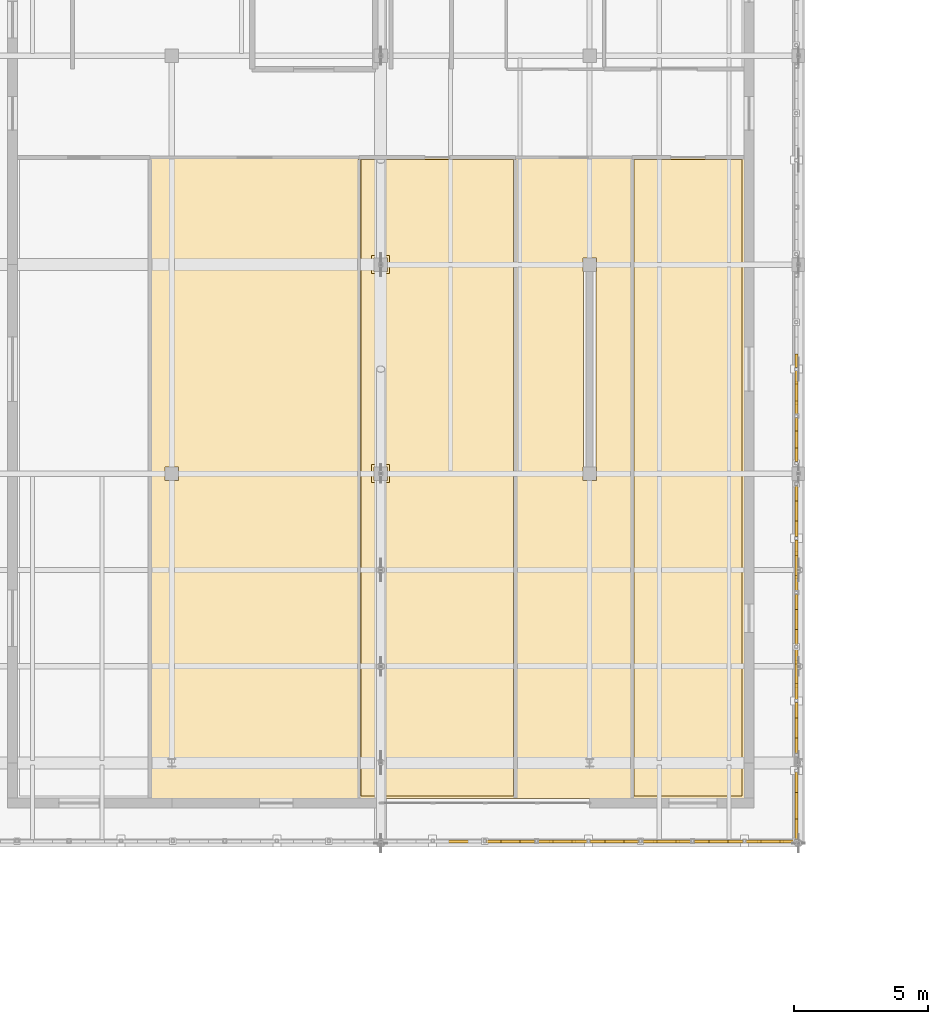
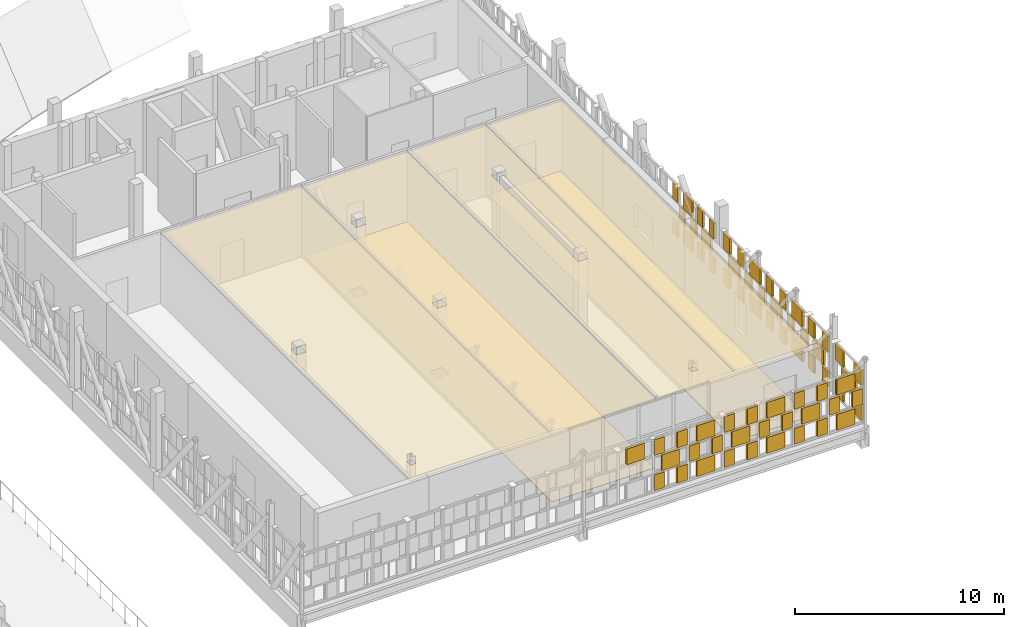
# One storey, part 79 of 89: 73 coverings.
"""IFC4 building model written with IfcOpenShell, lengths in metres."""

import ifcopenshell
import ifcopenshell.guid

model = None  # the IFC model being written
_history = None  # IfcOwnerHistory: only IFC2X3 demands one
_inside = {}  # id of a spatial element -> (the spatial element, [elements in it])
_under = {}  # id of a project, library or spatial element -> (it, [spatial elements below it])
_declared = {}  # id of a project -> (the project, [libraries it declares])
_typed = {}  # id of a type object -> (the type object, [elements of that type])
_made_of = {}  # id of a material, layer set ... -> (it, [elements and type objects made of it])


def new_model(schema):
    """Start an empty IFC model of exactly this schema.

    Asked for "IFC4X3", IfcOpenShell would pick the latest addendum, in which some entities
    have other attributes; the version numbers below select the first issue.
    IFC2X3 requires an IfcOwnerHistory on every rooted entity: one is made here for all.
    """
    global model, _history
    if schema == "IFC4X3":
        model = ifcopenshell.file(schema_version=(4, 3, 0, 0))
    else:
        model = ifcopenshell.file(schema=schema)
    _inside.clear()
    _under.clear()
    _declared.clear()
    _typed.clear()
    _made_of.clear()
    _history = None
    if model.schema == "IFC2X3":
        org = make("IfcOrganization", Name="unknown")
        user = make(
            "IfcPersonAndOrganization",
            ThePerson=make("IfcPerson", FamilyName="unknown"),
            TheOrganization=org,
        )
        app = make(
            "IfcApplication",
            ApplicationDeveloper=org,
            Version="unknown",
            ApplicationFullName="unknown",
            ApplicationIdentifier="unknown",
        )
        _history = make(
            "IfcOwnerHistory",
            OwningUser=user,
            OwningApplication=app,
            ChangeAction="ADDED",
            CreationDate=0,
        )
    return model


def make(cls, **values):
    """One entity of the class cls with the attributes given. An attribute that is None is left unset."""
    return model.create_entity(
        cls, **{name: value for name, value in values.items() if value is not None}
    )


def rooted(cls, **values):
    """An entity with a GlobalId (a new one), such as an element, a storey or a relation."""
    return make(cls, GlobalId=ifcopenshell.guid.new(), OwnerHistory=_history, **values)


def si_unit(unit_type, name, prefix=None):
    """IfcSIUnit, for example si_unit("LENGTHUNIT", "METRE", prefix="MILLI")."""
    return make("IfcSIUnit", UnitType=unit_type, Prefix=prefix, Name=name)


def assignment(units):
    """IfcUnitAssignment: the units of a project."""
    return None if units is None else make("IfcUnitAssignment", Units=units)


def point(xyz):
    """IfcCartesianPoint."""
    return None if xyz is None else make("IfcCartesianPoint", Coordinates=xyz)


def direction(xyz):
    """IfcDirection."""
    return None if xyz is None else make("IfcDirection", DirectionRatios=xyz)


def frame(location, z_axis=None, x_axis=None):
    """IfcAxis2Placement3D, a coordinate frame: its origin and axes. An axis left out is left unset."""
    return make(
        "IfcAxis2Placement3D",
        Location=point(location),
        Axis=direction(z_axis),
        RefDirection=direction(x_axis),
    )


def frame_2d(location, x_axis=None):
    """IfcAxis2Placement2D, a coordinate frame in the plane: its origin and x axis."""
    return make(
        "IfcAxis2Placement2D", Location=point(location), RefDirection=direction(x_axis)
    )


def origin():
    """The frame at (0, 0, 0) with its axes left unset."""
    return frame((0.0, 0.0, 0.0))


def origin_2d():
    """The frame at (0, 0) in the plane with its x axis left unset."""
    return frame_2d((0.0, 0.0))


def place(relative_to, where):
    """IfcLocalPlacement: puts the frame where relative to a parent placement (None: the world)."""
    return make(
        "IfcLocalPlacement", PlacementRelTo=relative_to, RelativePlacement=where
    )


def context(
    kind, dimensions, precision=None, world=None, true_north=None, identifier=None
):
    """IfcGeometricRepresentationContext, for example the 3D "Model" context."""
    return make(
        "IfcGeometricRepresentationContext",
        ContextIdentifier=identifier,
        ContextType=kind,
        CoordinateSpaceDimension=dimensions,
        Precision=precision,
        WorldCoordinateSystem=world,
        TrueNorth=true_north,
    )


def subcontext(parent, identifier, kind, view, scale=None):
    """IfcGeometricRepresentationSubContext, for example "Body" below "Model"."""
    return make(
        "IfcGeometricRepresentationSubContext",
        ContextIdentifier=identifier,
        ContextType=kind,
        ParentContext=parent,
        TargetScale=scale,
        TargetView=view,
    )


def project(units=None, contexts=None):
    """IfcProject with its units and contexts."""
    return rooted(
        "IfcProject",
        Name="project",
        RepresentationContexts=contexts,
        UnitsInContext=assignment(units),
    )


def spatial(cls, under=None, at=None, **own):
    """A site, building, storey or space (cls), placed at a placement, below another one or the project."""
    s = rooted(cls, ObjectPlacement=at, **own)
    if under is not None:
        _under.setdefault(under.id(), (under, []))[1].append(s)
    return s


def polyline(points):
    """IfcPolyline through the points."""
    return make("IfcPolyline", Points=[point(p) for p in points])


def profile(cls, at=None, kind="AREA", **sizes):
    """A parametric profile (cls). Its sizes go by their IFC names, for example OverallWidth=200.0."""
    return make(cls, ProfileType=kind, Position=at, **sizes)


def rectangle(**sizes):
    """IfcRectangleProfileDef."""
    return profile("IfcRectangleProfileDef", **sizes)


def outline(outer, holes=None, kind="AREA"):
    """IfcArbitraryClosedProfileDef: a profile drawn as a closed curve; with holes, ...WithVoids."""
    if holes is None:
        return make("IfcArbitraryClosedProfileDef", ProfileType=kind, OuterCurve=outer)
    return make(
        "IfcArbitraryProfileDefWithVoids",
        ProfileType=kind,
        OuterCurve=outer,
        InnerCurves=holes,
    )


def extrude(swept, where, along, depth):
    """IfcExtrudedAreaSolid: the profile swept, set in the frame where, extruded along a direction by depth."""
    return make(
        "IfcExtrudedAreaSolid",
        SweptArea=swept,
        Position=where,
        ExtrudedDirection=direction(along),
        Depth=depth,
    )


def shape(context_of_items, identifier, shape_type, items):
    """IfcShapeRepresentation: the items that make up one representation, for example the "Body"."""
    return make(
        "IfcShapeRepresentation",
        ContextOfItems=context_of_items,
        RepresentationIdentifier=identifier,
        RepresentationType=shape_type,
        Items=items,
    )


def material(Name=None, Category=None):
    """IfcMaterial."""
    return make("IfcMaterial", Name=Name, Category=Category)


def layer(
    of_material, thickness, ventilated=None, Name=None, Category=None, Priority=None
):
    """IfcMaterialLayer: one layer of a wall or slab, of a material (None: an air gap)."""
    return make(
        "IfcMaterialLayer",
        Material=of_material,
        LayerThickness=thickness,
        IsVentilated=ventilated,
        Name=Name,
        Category=Category,
        Priority=Priority,
    )


def layer_set(layers, Name=None):
    """IfcMaterialLayerSet."""
    return make("IfcMaterialLayerSet", MaterialLayers=layers, LayerSetName=Name)


def made_of(thing, what):
    """Note that an element or type object is made of a material, layer set ...; save() writes the relation."""
    if what is not None:
        _made_of.setdefault(what.id(), (what, []))[1].append(thing)
    return thing


def type_object(cls, material=None, **own):
    """A type object (cls), such as IfcWallType, which elements share."""
    return made_of(rooted(cls, **own), material)


def element(
    cls,
    number,
    at=None,
    inside=None,
    cuts=None,
    type_object=None,
    material=None,
    context=None,
    identifier="Body",
    shape_type=None,
    held_by="IfcProductDefinitionShape",
    body=None,
    shapes=None,
    **own,
):
    """One element of the class cls, such as IfcWall. Its Tag is "e" and its number.

    at: its placement. inside: the storey or other place that contains it. cuts: it is an
    opening in that element (IfcRelVoidsElement). A single representation is given by context,
    identifier, shape_type and body (its items); several are given by shapes. held_by: the class
    of the entity that holds the representations. save() writes the other relations.
    """
    e = rooted(cls, Tag="e%d" % number, ObjectPlacement=at, **own)
    if body is not None:
        shapes = [shape(context, identifier, shape_type, body)]
    if shapes is not None:
        e.Representation = make(held_by, Representations=shapes)
    if inside is not None:
        _inside.setdefault(inside.id(), (inside, []))[1].append(e)
    if cuts is not None:
        rooted(
            "IfcRelVoidsElement", RelatingBuildingElement=cuts, RelatedOpeningElement=e
        )
    if type_object is not None:
        _typed.setdefault(type_object.id(), (type_object, []))[1].append(e)
    return made_of(e, material)


def aggregate(whole, parts):
    """IfcRelAggregates: a whole, such as a stair, and the parts it consists of."""
    return rooted("IfcRelAggregates", RelatingObject=whole, RelatedObjects=parts)


def save(model, path):
    """Write the relations noted so far, then the file.

    IfcRelAggregates (storeys below a building ...), IfcRelContainedInSpatialStructure (elements
    in a storey), IfcRelDefinesByType, IfcRelAssociatesMaterial and IfcRelDeclares: one each for
    every whole, place, type object, material and project.
    """
    for whole, parts in _under.values():
        aggregate(whole, parts)
    for where, things in _inside.values():
        rooted(
            "IfcRelContainedInSpatialStructure",
            RelatedElements=things,
            RelatingStructure=where,
        )
    for kind, things in _typed.values():
        rooted("IfcRelDefinesByType", RelatedObjects=things, RelatingType=kind)
    for what, things in _made_of.values():
        rooted("IfcRelAssociatesMaterial", RelatedObjects=things, RelatingMaterial=what)
    for by, libraries in _declared.values():
        rooted("IfcRelDeclares", RelatingContext=by, RelatedDefinitions=libraries)
    model.write(path)


model = new_model("IFC4")

# Units and contexts
model_context = context("Model", 3, precision=1e-05, world=origin(), true_north=direction((0.0, 1.0)))
body_context = subcontext(model_context, "Body", "Model", "MODEL_VIEW")
ifc_project = project(units=[si_unit("LENGTHUNIT", "METRE"), si_unit("AREAUNIT", "SQUARE_METRE"), si_unit("VOLUMEUNIT", "CUBIC_METRE"), si_unit("PLANEANGLEUNIT", "RADIAN"), si_unit("MASSUNIT", "GRAM", prefix="KILO")], contexts=[model_context])

# Site, building, storey
site_placement = place(None, origin())
site = spatial("IfcSite", under=ifc_project, at=site_placement, CompositionType="ELEMENT")
building_placement = place(site_placement, origin())
building = spatial("IfcBuilding", under=site, at=building_placement, Name="Celorna Specialist Clinic", CompositionType="ELEMENT")
storey_placement = place(building_placement, frame((0.0, 0.0, 14.10009765625)))
storey = spatial("IfcBuildingStorey", under=building, at=storey_placement, Name="L03", CompositionType="ELEMENT", Elevation=14.10009765625)

# Coverings
ifc_material_1 = material(Name="Hygienic acoustic mineral-fibre ceiling")
ifc_layer_1 = layer(ifc_material_1, 0.030029296875, Name="Hygienic acoustic mineral-fibre ceiling")
ifc_layer_set_1 = layer_set([ifc_layer_1], Name="Hygienic acoustic mineral-fibre ceiling")
covering_type_1 = type_object("IfcCoveringType", Name="CE-01", PredefinedType="CEILING", material=ifc_layer_set_1)
covering_1_placement = place(storey_placement, frame((0.0, 0.0, 4.02978515625)))
element("IfcCovering", 1, at=covering_1_placement, inside=storey, type_object=covering_type_1, Name="Acoustic ceiling L03-055", PredefinedType="CEILING", context=body_context, shape_type="SweptSolid", body=[
    extrude(outline(polyline([(69.405029296875, 31.31494140625), (69.405029296875, 7.375), (61.574951171875, 7.375), (61.574951171875, 31.31494140625), (69.405029296875, 31.31494140625)]), holes=[polyline([(62.554931640625, 8.85498046875), (62.2451171875, 8.85498046875), (62.2451171875, 8.544921875), (62.554931640625, 8.544921875), (62.554931640625, 8.85498046875)]), polyline([(62.14501953125, 19.7548828125), (62.14501953125, 19.2451171875), (62.655029296875, 19.2451171875), (62.655029296875, 19.7548828125), (62.14501953125, 19.7548828125)])]), origin(), (0.0, 0.0, 1.0), 0.030029296875),
])
covering_2_placement = place(storey_placement, frame((0.0, 0.0, 4.02978515625)))
element("IfcCovering", 2, at=covering_2_placement, inside=storey, type_object=covering_type_1, Name="Acoustic ceiling L03-056", PredefinedType="CEILING", context=body_context, shape_type="SweptSolid", body=[
    extrude(outline(polyline([(75.2548828125, 31.31494140625), (75.2548828125, 7.375), (69.375, 7.375), (69.375, 31.31494140625), (75.2548828125, 31.31494140625)]), holes=[polyline([(69.945068359375, 19.7548828125), (69.945068359375, 19.2451171875), (70.455078125, 19.2451171875), (70.455078125, 19.7548828125), (69.945068359375, 19.7548828125)]), polyline([(69.945068359375, 27.554931640625), (69.945068359375, 27.044921875), (70.455078125, 27.044921875), (70.455078125, 27.554931640625), (69.945068359375, 27.554931640625)])]), origin(), (0.0, 0.0, 1.0), 0.030029296875),
])
covering_3_placement = place(storey_placement, frame((0.0, 0.0, 4.02978515625)))
element("IfcCovering", 3, at=covering_3_placement, inside=storey, type_object=covering_type_1, Name="Acoustic ceiling L03-057", PredefinedType="CEILING", context=body_context, shape_type="SweptSolid", body=[
    extrude(outline(polyline([(79.60498046875, 31.31494140625), (79.60498046875, 7.375), (75.22509765625, 7.375), (75.22509765625, 31.31494140625), (79.60498046875, 31.31494140625)]), holes=[polyline([(78.235107421875, 27.044921875), (78.2548828125, 27.044921875), (78.2548828125, 27.554931640625), (77.7451171875, 27.554931640625), (77.7451171875, 27.044921875), (77.764892578125, 27.044921875), (77.764892578125, 19.7548828125), (77.7451171875, 19.7548828125), (77.7451171875, 19.2451171875), (78.2548828125, 19.2451171875), (78.2548828125, 19.7548828125), (78.235107421875, 19.7548828125), (78.235107421875, 27.044921875)]), polyline([(77.844970703125, 8.85498046875), (77.844970703125, 8.544921875), (78.155029296875, 8.544921875), (78.155029296875, 8.85498046875), (77.844970703125, 8.85498046875)])]), origin(), (0.0, 0.0, 1.0), 0.030029296875),
])
covering_4_placement = place(storey_placement, frame((0.0, 0.0, 4.02978515625)))
element("IfcCovering", 4, at=covering_4_placement, inside=storey, type_object=covering_type_1, Name="Acoustic ceiling L03-058", PredefinedType="CEILING", context=body_context, shape_type="SweptSolid", body=[
    extrude(outline(polyline([(83.77490234375, 31.31494140625), (83.77490234375, 7.375), (79.574951171875, 7.375), (79.574951171875, 31.31494140625), (83.77490234375, 31.31494140625)])), origin(), (0.0, 0.0, 1.0), 0.030029296875),
])
ifc_material_2 = material(Name="Perforated terracotta brick weave cladding", Category="masonry")
ifc_layer_2 = layer(ifc_material_2, 0.114990234375, Name="Perforated terracotta brick weave cladding")
ifc_layer_set_2 = layer_set([ifc_layer_2], Name="Perforated terracotta brick weave cladding")
covering_type_2 = type_object("IfcCoveringType", Name="CL-02", PredefinedType="CLADDING", material=ifc_layer_set_2)
covering_5_placement = place(storey_placement, frame((73.110107421875, 5.77001953125, 2.1533203125), z_axis=(0.0, 0.0, 1.0), x_axis=(1.0, 0.0, 0.0)))
element("IfcCovering", 5, at=covering_5_placement, inside=storey, type_object=covering_type_2, Name="Woven perforated terracotta brick course #117", PredefinedType="CLADDING", context=body_context, shape_type="SweptSolid", body=[
    extrude(rectangle(XDim=0.98291015625, YDim=0.114990234375, at=origin_2d()), origin(), (0.0, 0.0, 1.0), 0.9267578125),
])
for number, where, z_axis, x_axis, name in (
    (6, (74.41748046875, 5.77001953125, 0.099853515625), (0.0, 0.0, 1.0), (1.0, 0.0, 0.0), "Woven perforated terracotta brick course #118"),
    (7, (75.6826171875, 5.77001953125, 0.099853515625), (0.0, 0.0, 1.0), (1.0, 0.0, 0.0), "Woven perforated terracotta brick course #119"),
):
    element("IfcCovering", number, at=place(storey_placement, frame(where, z_axis=z_axis, x_axis=x_axis)), inside=storey, type_object=covering_type_2, Name=name, PredefinedType="CLADDING", context=body_context, shape_type="SweptSolid", body=[
        extrude(rectangle(XDim=0.55517578125, YDim=0.114990234375, at=origin_2d()), origin(), (0.0, 0.0, 1.0), 0.9267578125),
    ])
covering_6_placement = place(storey_placement, frame((75.050048828125, 5.77001953125, 1.12646484375), z_axis=(0.0, 0.0, 1.0), x_axis=(1.0, 0.0, 0.0)))
element("IfcCovering", 8, at=covering_6_placement, inside=storey, type_object=covering_type_2, Name="Woven perforated terracotta brick course #120", PredefinedType="CLADDING", context=body_context, shape_type="SweptSolid", body=[
    extrude(rectangle(XDim=0.98291015625, YDim=0.114990234375, at=origin_2d()), origin(), (0.0, 0.0, 1.0), 0.926513671875),
])
for number, where, z_axis, x_axis, name in (
    (9, (74.41748046875, 5.77001953125, 2.1533203125), (0.0, 0.0, 1.0), (1.0, 0.0, 0.0), "Woven perforated terracotta brick course #121"),
    (10, (75.6826171875, 5.77001953125, 2.1533203125), (0.0, 0.0, 1.0), (1.0, 0.0, 0.0), "Woven perforated terracotta brick course #122"),
):
    element("IfcCovering", number, at=place(storey_placement, frame(where, z_axis=z_axis, x_axis=x_axis)), inside=storey, type_object=covering_type_2, Name=name, PredefinedType="CLADDING", context=body_context, shape_type="SweptSolid", body=[
        extrude(rectangle(XDim=0.55517578125, YDim=0.114990234375, at=origin_2d()), origin(), (0.0, 0.0, 1.0), 0.9267578125),
    ])
covering_7_placement = place(storey_placement, frame((76.989990234375, 5.77001953125, 0.099853515625), z_axis=(0.0, 0.0, 1.0), x_axis=(1.0, 0.0, 0.0)))
element("IfcCovering", 11, at=covering_7_placement, inside=storey, type_object=covering_type_2, Name="Woven perforated terracotta brick course #123", PredefinedType="CLADDING", context=body_context, shape_type="SweptSolid", body=[
    extrude(rectangle(XDim=0.98291015625, YDim=0.114990234375, at=origin_2d()), origin(), (0.0, 0.0, 1.0), 0.9267578125),
])
for number, where, z_axis, x_axis, name in (
    (12, (76.357666015625, 5.77001953125, 1.12646484375), (0.0, 0.0, 1.0), (1.0, 0.0, 0.0), "Woven perforated terracotta brick course #124"),
    (13, (77.62255859375, 5.77001953125, 1.12646484375), (0.0, 0.0, 1.0), (1.0, 0.0, 0.0), "Woven perforated terracotta brick course #125"),
):
    element("IfcCovering", number, at=place(storey_placement, frame(where, z_axis=z_axis, x_axis=x_axis)), inside=storey, type_object=covering_type_2, Name=name, PredefinedType="CLADDING", context=body_context, shape_type="SweptSolid", body=[
        extrude(rectangle(XDim=0.55517578125, YDim=0.114990234375, at=origin_2d()), origin(), (0.0, 0.0, 1.0), 0.926513671875),
    ])
covering_8_placement = place(storey_placement, frame((76.989990234375, 5.77001953125, 2.1533203125), z_axis=(0.0, 0.0, 1.0), x_axis=(1.0, 0.0, 0.0)))
element("IfcCovering", 14, at=covering_8_placement, inside=storey, type_object=covering_type_2, Name="Woven perforated terracotta brick course #126", PredefinedType="CLADDING", context=body_context, shape_type="SweptSolid", body=[
    extrude(rectangle(XDim=0.98291015625, YDim=0.114990234375, at=origin_2d()), origin(), (0.0, 0.0, 1.0), 0.9267578125),
])
for number, where, z_axis, x_axis, name in (
    (15, (78.297607421875, 5.77001953125, 0.099853515625), (0.0, 0.0, 1.0), (1.0, 0.0, 0.0), "Woven perforated terracotta brick course #127"),
    (16, (79.5625, 5.77001953125, 0.099853515625), (0.0, 0.0, 1.0), (1.0, 0.0, 0.0), "Woven perforated terracotta brick course #128"),
):
    element("IfcCovering", number, at=place(storey_placement, frame(where, z_axis=z_axis, x_axis=x_axis)), inside=storey, type_object=covering_type_2, Name=name, PredefinedType="CLADDING", context=body_context, shape_type="SweptSolid", body=[
        extrude(rectangle(XDim=0.55517578125, YDim=0.114990234375, at=origin_2d()), origin(), (0.0, 0.0, 1.0), 0.9267578125),
    ])
covering_9_placement = place(storey_placement, frame((78.929931640625, 5.77001953125, 1.12646484375), z_axis=(0.0, 0.0, 1.0), x_axis=(1.0, 0.0, 0.0)))
element("IfcCovering", 17, at=covering_9_placement, inside=storey, type_object=covering_type_2, Name="Woven perforated terracotta brick course #129", PredefinedType="CLADDING", context=body_context, shape_type="SweptSolid", body=[
    extrude(rectangle(XDim=0.98291015625, YDim=0.114990234375, at=origin_2d()), origin(), (0.0, 0.0, 1.0), 0.926513671875),
])
for number, where, z_axis, x_axis, name in (
    (18, (78.297607421875, 5.77001953125, 2.1533203125), (0.0, 0.0, 1.0), (1.0, 0.0, 0.0), "Woven perforated terracotta brick course #130"),
    (19, (79.5625, 5.77001953125, 2.1533203125), (0.0, 0.0, 1.0), (1.0, 0.0, 0.0), "Woven perforated terracotta brick course #131"),
):
    element("IfcCovering", number, at=place(storey_placement, frame(where, z_axis=z_axis, x_axis=x_axis)), inside=storey, type_object=covering_type_2, Name=name, PredefinedType="CLADDING", context=body_context, shape_type="SweptSolid", body=[
        extrude(rectangle(XDim=0.55517578125, YDim=0.114990234375, at=origin_2d()), origin(), (0.0, 0.0, 1.0), 0.9267578125),
    ])
covering_10_placement = place(storey_placement, frame((80.8701171875, 5.77001953125, 0.099853515625), z_axis=(0.0, 0.0, 1.0), x_axis=(1.0, 0.0, 0.0)))
element("IfcCovering", 20, at=covering_10_placement, inside=storey, type_object=covering_type_2, Name="Woven perforated terracotta brick course #132", PredefinedType="CLADDING", context=body_context, shape_type="SweptSolid", body=[
    extrude(rectangle(XDim=0.98291015625, YDim=0.114990234375, at=origin_2d()), origin(), (0.0, 0.0, 1.0), 0.9267578125),
])
for number, where, z_axis, x_axis, name in (
    (21, (80.237548828125, 5.77001953125, 1.12646484375), (0.0, 0.0, 1.0), (1.0, 0.0, 0.0), "Woven perforated terracotta brick course #133"),
    (22, (81.50244140625, 5.77001953125, 1.12646484375), (0.0, 0.0, 1.0), (1.0, 0.0, 0.0), "Woven perforated terracotta brick course #134"),
):
    element("IfcCovering", number, at=place(storey_placement, frame(where, z_axis=z_axis, x_axis=x_axis)), inside=storey, type_object=covering_type_2, Name=name, PredefinedType="CLADDING", context=body_context, shape_type="SweptSolid", body=[
        extrude(rectangle(XDim=0.55517578125, YDim=0.114990234375, at=origin_2d()), origin(), (0.0, 0.0, 1.0), 0.926513671875),
    ])
covering_11_placement = place(storey_placement, frame((80.8701171875, 5.77001953125, 2.1533203125), z_axis=(0.0, 0.0, 1.0), x_axis=(1.0, 0.0, 0.0)))
element("IfcCovering", 23, at=covering_11_placement, inside=storey, type_object=covering_type_2, Name="Woven perforated terracotta brick course #135", PredefinedType="CLADDING", context=body_context, shape_type="SweptSolid", body=[
    extrude(rectangle(XDim=0.98291015625, YDim=0.114990234375, at=origin_2d()), origin(), (0.0, 0.0, 1.0), 0.9267578125),
])
for number, where, z_axis, x_axis, name in (
    (24, (82.177490234375, 5.77001953125, 0.099853515625), (0.0, 0.0, 1.0), (1.0, 0.0, 0.0), "Woven perforated terracotta brick course #136"),
    (25, (83.4423828125, 5.77001953125, 0.099853515625), (0.0, 0.0, 1.0), (1.0, 0.0, 0.0), "Woven perforated terracotta brick course #137"),
):
    element("IfcCovering", number, at=place(storey_placement, frame(where, z_axis=z_axis, x_axis=x_axis)), inside=storey, type_object=covering_type_2, Name=name, PredefinedType="CLADDING", context=body_context, shape_type="SweptSolid", body=[
        extrude(rectangle(XDim=0.55517578125, YDim=0.114990234375, at=origin_2d()), origin(), (0.0, 0.0, 1.0), 0.9267578125),
    ])
covering_12_placement = place(storey_placement, frame((82.81005859375, 5.77001953125, 1.12646484375), z_axis=(0.0, 0.0, 1.0), x_axis=(1.0, 0.0, 0.0)))
element("IfcCovering", 26, at=covering_12_placement, inside=storey, type_object=covering_type_2, Name="Woven perforated terracotta brick course #138", PredefinedType="CLADDING", context=body_context, shape_type="SweptSolid", body=[
    extrude(rectangle(XDim=0.98291015625, YDim=0.114990234375, at=origin_2d()), origin(), (0.0, 0.0, 1.0), 0.926513671875),
])
for number, where, z_axis, x_axis, name in (
    (27, (82.177490234375, 5.77001953125, 2.1533203125), (0.0, 0.0, 1.0), (1.0, 0.0, 0.0), "Woven perforated terracotta brick course #139"),
    (28, (83.4423828125, 5.77001953125, 2.1533203125), (0.0, 0.0, 1.0), (1.0, 0.0, 0.0), "Woven perforated terracotta brick course #140"),
):
    element("IfcCovering", number, at=place(storey_placement, frame(where, z_axis=z_axis, x_axis=x_axis)), inside=storey, type_object=covering_type_2, Name=name, PredefinedType="CLADDING", context=body_context, shape_type="SweptSolid", body=[
        extrude(rectangle(XDim=0.55517578125, YDim=0.114990234375, at=origin_2d()), origin(), (0.0, 0.0, 1.0), 0.9267578125),
    ])
covering_13_placement = place(storey_placement, frame((84.75, 5.77001953125, 0.099853515625), z_axis=(0.0, 0.0, 1.0), x_axis=(1.0, 0.0, 0.0)))
element("IfcCovering", 29, at=covering_13_placement, inside=storey, type_object=covering_type_2, Name="Woven perforated terracotta brick course #141", PredefinedType="CLADDING", context=body_context, shape_type="SweptSolid", body=[
    extrude(rectangle(XDim=0.98291015625, YDim=0.114990234375, at=origin_2d()), origin(), (0.0, 0.0, 1.0), 0.9267578125),
])
for number, where, z_axis, x_axis, name in (
    (30, (84.117431640625, 5.77001953125, 1.12646484375), (0.0, 0.0, 1.0), (1.0, 0.0, 0.0), "Woven perforated terracotta brick course #142"),
    (31, (85.382568359375, 5.77001953125, 1.12646484375), (0.0, 0.0, 1.0), (1.0, 0.0, 0.0), "Woven perforated terracotta brick course #143"),
):
    element("IfcCovering", number, at=place(storey_placement, frame(where, z_axis=z_axis, x_axis=x_axis)), inside=storey, type_object=covering_type_2, Name=name, PredefinedType="CLADDING", context=body_context, shape_type="SweptSolid", body=[
        extrude(rectangle(XDim=0.55517578125, YDim=0.114990234375, at=origin_2d()), origin(), (0.0, 0.0, 1.0), 0.926513671875),
    ])
covering_14_placement = place(storey_placement, frame((84.75, 5.77001953125, 2.1533203125), z_axis=(0.0, 0.0, 1.0), x_axis=(1.0, 0.0, 0.0)))
element("IfcCovering", 32, at=covering_14_placement, inside=storey, type_object=covering_type_2, Name="Woven perforated terracotta brick course #144", PredefinedType="CLADDING", context=body_context, shape_type="SweptSolid", body=[
    extrude(rectangle(XDim=0.98291015625, YDim=0.114990234375, at=origin_2d()), origin(), (0.0, 0.0, 1.0), 0.9267578125),
])
for number, where, z_axis, x_axis, name in (
    (33, (85.72998046875, 6.222900390625, 0.099853515625), (0.0, 0.0, 1.0), (0.0, 1.0, 0.0), "Woven perforated terracotta brick course #391"),
    (34, (85.72998046875, 7.96728515625, 0.099853515625), (0.0, 0.0, 1.0), (0.0, 1.0, 0.0), "Woven perforated terracotta brick course #392"),
):
    element("IfcCovering", number, at=place(storey_placement, frame(where, z_axis=z_axis, x_axis=x_axis)), inside=storey, type_object=covering_type_2, Name=name, PredefinedType="CLADDING", context=body_context, shape_type="SweptSolid", body=[
        extrude(rectangle(XDim=0.765380859375, YDim=0.114990234375, at=origin_2d()), origin(), (0.0, 0.0, 1.0), 0.9267578125),
    ])
covering_15_placement = place(storey_placement, frame((85.72998046875, 7.094970703125, 1.12646484375), z_axis=(0.0, 0.0, 1.0), x_axis=(0.0, 1.0, 0.0)))
element("IfcCovering", 35, at=covering_15_placement, inside=storey, type_object=covering_type_2, Name="Woven perforated terracotta brick course #393", PredefinedType="CLADDING", context=body_context, shape_type="SweptSolid", body=[
    extrude(rectangle(XDim=1.35546875, YDim=0.114990234375, at=origin_2d()), origin(), (0.0, 0.0, 1.0), 0.926513671875),
])
for number, where, z_axis, x_axis, name in (
    (36, (85.72998046875, 6.222900390625, 2.1533203125), (0.0, 0.0, 1.0), (0.0, 1.0, 0.0), "Woven perforated terracotta brick course #394"),
    (37, (85.72998046875, 7.96728515625, 2.1533203125), (0.0, 0.0, 1.0), (0.0, 1.0, 0.0), "Woven perforated terracotta brick course #395"),
):
    element("IfcCovering", number, at=place(storey_placement, frame(where, z_axis=z_axis, x_axis=x_axis)), inside=storey, type_object=covering_type_2, Name=name, PredefinedType="CLADDING", context=body_context, shape_type="SweptSolid", body=[
        extrude(rectangle(XDim=0.765380859375, YDim=0.114990234375, at=origin_2d()), origin(), (0.0, 0.0, 1.0), 0.9267578125),
    ])
for number, where, z_axis, x_axis, name in (
    (38, (85.72998046875, 9.34033203125, 0.099853515625), (0.0, 0.0, 1.0), (0.0, 1.0, 0.0), "Woven perforated terracotta brick course #396"),
    (39, (85.72998046875, 10.663818359375, 0.099853515625), (0.0, 0.0, 1.0), (0.0, 1.0, 0.0), "Woven perforated terracotta brick course #397"),
):
    element("IfcCovering", number, at=place(storey_placement, frame(where, z_axis=z_axis, x_axis=x_axis)), inside=storey, type_object=covering_type_2, Name=name, PredefinedType="CLADDING", context=body_context, shape_type="SweptSolid", body=[
        extrude(rectangle(XDim=0.580810546875, YDim=0.114990234375, at=origin_2d()), origin(), (0.0, 0.0, 1.0), 0.9267578125),
    ])
covering_16_placement = place(storey_placement, frame((85.72998046875, 10.001953125, 1.12646484375), z_axis=(0.0, 0.0, 1.0), x_axis=(0.0, 1.0, 0.0)))
element("IfcCovering", 40, at=covering_16_placement, inside=storey, type_object=covering_type_2, Name="Woven perforated terracotta brick course #398", PredefinedType="CLADDING", context=body_context, shape_type="SweptSolid", body=[
    extrude(rectangle(XDim=1.0283203125, YDim=0.114990234375, at=origin_2d()), origin(), (0.0, 0.0, 1.0), 0.926513671875),
])
for number, where, z_axis, x_axis, name in (
    (41, (85.72998046875, 9.34033203125, 2.1533203125), (0.0, 0.0, 1.0), (0.0, 1.0, 0.0), "Woven perforated terracotta brick course #399"),
    (42, (85.72998046875, 10.663818359375, 2.1533203125), (0.0, 0.0, 1.0), (0.0, 1.0, 0.0), "Woven perforated terracotta brick course #400"),
):
    element("IfcCovering", number, at=place(storey_placement, frame(where, z_axis=z_axis, x_axis=x_axis)), inside=storey, type_object=covering_type_2, Name=name, PredefinedType="CLADDING", context=body_context, shape_type="SweptSolid", body=[
        extrude(rectangle(XDim=0.580810546875, YDim=0.114990234375, at=origin_2d()), origin(), (0.0, 0.0, 1.0), 0.9267578125),
    ])
covering_17_placement = place(storey_placement, frame((85.72998046875, 12.02587890625, 0.099853515625), z_axis=(0.0, 0.0, 1.0), x_axis=(0.0, 1.0, 0.0)))
element("IfcCovering", 43, at=covering_17_placement, inside=storey, type_object=covering_type_2, Name="Woven perforated terracotta brick course #401", PredefinedType="CLADDING", context=body_context, shape_type="SweptSolid", body=[
    extrude(rectangle(XDim=1.0283203125, YDim=0.114990234375, at=origin_2d()), origin(), (0.0, 0.0, 1.0), 0.9267578125),
])
for number, where, z_axis, x_axis, name in (
    (44, (85.72998046875, 11.3642578125, 1.12646484375), (0.0, 0.0, 1.0), (0.0, 1.0, 0.0), "Woven perforated terracotta brick course #402"),
    (45, (85.72998046875, 12.6875, 1.12646484375), (0.0, 0.0, 1.0), (0.0, 1.0, 0.0), "Woven perforated terracotta brick course #403"),
):
    element("IfcCovering", number, at=place(storey_placement, frame(where, z_axis=z_axis, x_axis=x_axis)), inside=storey, type_object=covering_type_2, Name=name, PredefinedType="CLADDING", context=body_context, shape_type="SweptSolid", body=[
        extrude(rectangle(XDim=0.580810546875, YDim=0.114990234375, at=origin_2d()), origin(), (0.0, 0.0, 1.0), 0.926513671875),
    ])
covering_18_placement = place(storey_placement, frame((85.72998046875, 12.02587890625, 2.1533203125), z_axis=(0.0, 0.0, 1.0), x_axis=(0.0, 1.0, 0.0)))
element("IfcCovering", 46, at=covering_18_placement, inside=storey, type_object=covering_type_2, Name="Woven perforated terracotta brick course #404", PredefinedType="CLADDING", context=body_context, shape_type="SweptSolid", body=[
    extrude(rectangle(XDim=1.0283203125, YDim=0.114990234375, at=origin_2d()), origin(), (0.0, 0.0, 1.0), 0.9267578125),
])
for number, where, z_axis, x_axis, name in (
    (47, (85.72998046875, 13.38818359375, 0.099853515625), (0.0, 0.0, 1.0), (0.0, 1.0, 0.0), "Woven perforated terracotta brick course #405"),
    (48, (85.72998046875, 14.711669921875, 0.099853515625), (0.0, 0.0, 1.0), (0.0, 1.0, 0.0), "Woven perforated terracotta brick course #406"),
):
    element("IfcCovering", number, at=place(storey_placement, frame(where, z_axis=z_axis, x_axis=x_axis)), inside=storey, type_object=covering_type_2, Name=name, PredefinedType="CLADDING", context=body_context, shape_type="SweptSolid", body=[
        extrude(rectangle(XDim=0.580810546875, YDim=0.114990234375, at=origin_2d()), origin(), (0.0, 0.0, 1.0), 0.9267578125),
    ])
covering_19_placement = place(storey_placement, frame((85.72998046875, 14.050048828125, 1.12646484375), z_axis=(0.0, 0.0, 1.0), x_axis=(0.0, 1.0, 0.0)))
element("IfcCovering", 49, at=covering_19_placement, inside=storey, type_object=covering_type_2, Name="Woven perforated terracotta brick course #407", PredefinedType="CLADDING", context=body_context, shape_type="SweptSolid", body=[
    extrude(rectangle(XDim=1.0283203125, YDim=0.114990234375, at=origin_2d()), origin(), (0.0, 0.0, 1.0), 0.926513671875),
])
for number, where, z_axis, x_axis, name in (
    (50, (85.72998046875, 13.38818359375, 2.1533203125), (0.0, 0.0, 1.0), (0.0, 1.0, 0.0), "Woven perforated terracotta brick course #408"),
    (51, (85.72998046875, 14.711669921875, 2.1533203125), (0.0, 0.0, 1.0), (0.0, 1.0, 0.0), "Woven perforated terracotta brick course #409"),
):
    element("IfcCovering", number, at=place(storey_placement, frame(where, z_axis=z_axis, x_axis=x_axis)), inside=storey, type_object=covering_type_2, Name=name, PredefinedType="CLADDING", context=body_context, shape_type="SweptSolid", body=[
        extrude(rectangle(XDim=0.580810546875, YDim=0.114990234375, at=origin_2d()), origin(), (0.0, 0.0, 1.0), 0.9267578125),
    ])
covering_20_placement = place(storey_placement, frame((85.72998046875, 16.073974609375, 0.099853515625), z_axis=(0.0, 0.0, 1.0), x_axis=(0.0, 1.0, 0.0)))
element("IfcCovering", 52, at=covering_20_placement, inside=storey, type_object=covering_type_2, Name="Woven perforated terracotta brick course #410", PredefinedType="CLADDING", context=body_context, shape_type="SweptSolid", body=[
    extrude(rectangle(XDim=1.0283203125, YDim=0.114990234375, at=origin_2d()), origin(), (0.0, 0.0, 1.0), 0.9267578125),
])
for number, where, z_axis, x_axis, name in (
    (53, (85.72998046875, 15.412353515625, 1.12646484375), (0.0, 0.0, 1.0), (0.0, 1.0, 0.0), "Woven perforated terracotta brick course #411"),
    (54, (85.72998046875, 16.735595703125, 1.12646484375), (0.0, 0.0, 1.0), (0.0, 1.0, 0.0), "Woven perforated terracotta brick course #412"),
):
    element("IfcCovering", number, at=place(storey_placement, frame(where, z_axis=z_axis, x_axis=x_axis)), inside=storey, type_object=covering_type_2, Name=name, PredefinedType="CLADDING", context=body_context, shape_type="SweptSolid", body=[
        extrude(rectangle(XDim=0.580810546875, YDim=0.114990234375, at=origin_2d()), origin(), (0.0, 0.0, 1.0), 0.926513671875),
    ])
covering_21_placement = place(storey_placement, frame((85.72998046875, 16.073974609375, 2.1533203125), z_axis=(0.0, 0.0, 1.0), x_axis=(0.0, 1.0, 0.0)))
element("IfcCovering", 55, at=covering_21_placement, inside=storey, type_object=covering_type_2, Name="Woven perforated terracotta brick course #413", PredefinedType="CLADDING", context=body_context, shape_type="SweptSolid", body=[
    extrude(rectangle(XDim=1.0283203125, YDim=0.114990234375, at=origin_2d()), origin(), (0.0, 0.0, 1.0), 0.9267578125),
])
for number, where, z_axis, x_axis, name in (
    (56, (85.72998046875, 17.436279296875, 0.099853515625), (0.0, 0.0, 1.0), (0.0, 1.0, 0.0), "Woven perforated terracotta brick course #414"),
    (57, (85.72998046875, 18.759765625, 0.099853515625), (0.0, 0.0, 1.0), (0.0, 1.0, 0.0), "Woven perforated terracotta brick course #415"),
):
    element("IfcCovering", number, at=place(storey_placement, frame(where, z_axis=z_axis, x_axis=x_axis)), inside=storey, type_object=covering_type_2, Name=name, PredefinedType="CLADDING", context=body_context, shape_type="SweptSolid", body=[
        extrude(rectangle(XDim=0.580810546875, YDim=0.114990234375, at=origin_2d()), origin(), (0.0, 0.0, 1.0), 0.9267578125),
    ])
covering_22_placement = place(storey_placement, frame((85.72998046875, 18.097900390625, 1.12646484375), z_axis=(0.0, 0.0, 1.0), x_axis=(0.0, 1.0, 0.0)))
element("IfcCovering", 58, at=covering_22_placement, inside=storey, type_object=covering_type_2, Name="Woven perforated terracotta brick course #416", PredefinedType="CLADDING", context=body_context, shape_type="SweptSolid", body=[
    extrude(rectangle(XDim=1.0283203125, YDim=0.114990234375, at=origin_2d()), origin(), (0.0, 0.0, 1.0), 0.926513671875),
])
for number, where, z_axis, x_axis, name in (
    (59, (85.72998046875, 17.436279296875, 2.1533203125), (0.0, 0.0, 1.0), (0.0, 1.0, 0.0), "Woven perforated terracotta brick course #417"),
    (60, (85.72998046875, 18.759765625, 2.1533203125), (0.0, 0.0, 1.0), (0.0, 1.0, 0.0), "Woven perforated terracotta brick course #418"),
):
    element("IfcCovering", number, at=place(storey_placement, frame(where, z_axis=z_axis, x_axis=x_axis)), inside=storey, type_object=covering_type_2, Name=name, PredefinedType="CLADDING", context=body_context, shape_type="SweptSolid", body=[
        extrude(rectangle(XDim=0.580810546875, YDim=0.114990234375, at=origin_2d()), origin(), (0.0, 0.0, 1.0), 0.9267578125),
    ])
for number, where, z_axis, x_axis, name in (
    (61, (85.72998046875, 20.19921875, 0.099853515625), (0.0, 0.0, 1.0), (0.0, 1.0, 0.0), "Woven perforated terracotta brick course #419"),
    (62, (85.72998046875, 21.335693359375, 0.099853515625), (0.0, 0.0, 1.0), (0.0, 1.0, 0.0), "Woven perforated terracotta brick course #420"),
):
    element("IfcCovering", number, at=place(storey_placement, frame(where, z_axis=z_axis, x_axis=x_axis)), inside=storey, type_object=covering_type_2, Name=name, PredefinedType="CLADDING", context=body_context, shape_type="SweptSolid", body=[
        extrude(rectangle(XDim=0.498779296875, YDim=0.114990234375, at=origin_2d()), origin(), (0.0, 0.0, 1.0), 0.9267578125),
    ])
covering_23_placement = place(storey_placement, frame((85.72998046875, 20.767578125, 1.12646484375), z_axis=(0.0, 0.0, 1.0), x_axis=(0.0, 1.0, 0.0)))
element("IfcCovering", 63, at=covering_23_placement, inside=storey, type_object=covering_type_2, Name="Woven perforated terracotta brick course #421", PredefinedType="CLADDING", context=body_context, shape_type="SweptSolid", body=[
    extrude(rectangle(XDim=0.8828125, YDim=0.114990234375, at=origin_2d()), origin(), (0.0, 0.0, 1.0), 0.926513671875),
])
for number, where, z_axis, x_axis, name in (
    (64, (85.72998046875, 20.19921875, 2.1533203125), (0.0, 0.0, 1.0), (0.0, 1.0, 0.0), "Woven perforated terracotta brick course #422"),
    (65, (85.72998046875, 21.335693359375, 2.1533203125), (0.0, 0.0, 1.0), (0.0, 1.0, 0.0), "Woven perforated terracotta brick course #423"),
):
    element("IfcCovering", number, at=place(storey_placement, frame(where, z_axis=z_axis, x_axis=x_axis)), inside=storey, type_object=covering_type_2, Name=name, PredefinedType="CLADDING", context=body_context, shape_type="SweptSolid", body=[
        extrude(rectangle(XDim=0.498779296875, YDim=0.114990234375, at=origin_2d()), origin(), (0.0, 0.0, 1.0), 0.9267578125),
    ])
covering_24_placement = place(storey_placement, frame((85.72998046875, 22.5224609375, 0.099853515625), z_axis=(0.0, 0.0, 1.0), x_axis=(0.0, 1.0, 0.0)))
element("IfcCovering", 66, at=covering_24_placement, inside=storey, type_object=covering_type_2, Name="Woven perforated terracotta brick course #424", PredefinedType="CLADDING", context=body_context, shape_type="SweptSolid", body=[
    extrude(rectangle(XDim=0.8828125, YDim=0.114990234375, at=origin_2d()), origin(), (0.0, 0.0, 1.0), 0.9267578125),
])
for number, where, z_axis, x_axis, name in (
    (67, (85.72998046875, 21.954345703125, 1.12646484375), (0.0, 0.0, 1.0), (0.0, 1.0, 0.0), "Woven perforated terracotta brick course #425"),
    (68, (85.72998046875, 23.0908203125, 1.12646484375), (0.0, 0.0, 1.0), (0.0, 1.0, 0.0), "Woven perforated terracotta brick course #426"),
):
    element("IfcCovering", number, at=place(storey_placement, frame(where, z_axis=z_axis, x_axis=x_axis)), inside=storey, type_object=covering_type_2, Name=name, PredefinedType="CLADDING", context=body_context, shape_type="SweptSolid", body=[
        extrude(rectangle(XDim=0.498779296875, YDim=0.114990234375, at=origin_2d()), origin(), (0.0, 0.0, 1.0), 0.926513671875),
    ])
covering_25_placement = place(storey_placement, frame((85.72998046875, 22.5224609375, 2.1533203125), z_axis=(0.0, 0.0, 1.0), x_axis=(0.0, 1.0, 0.0)))
element("IfcCovering", 69, at=covering_25_placement, inside=storey, type_object=covering_type_2, Name="Woven perforated terracotta brick course #427", PredefinedType="CLADDING", context=body_context, shape_type="SweptSolid", body=[
    extrude(rectangle(XDim=0.8828125, YDim=0.114990234375, at=origin_2d()), origin(), (0.0, 0.0, 1.0), 0.9267578125),
])
for number, where, z_axis, x_axis, name in (
    (70, (85.72998046875, 23.70947265625, 0.099853515625), (0.0, 0.0, 1.0), (0.0, 1.0, 0.0), "Woven perforated terracotta brick course #428"),
    (71, (85.72998046875, 23.70947265625, 2.1533203125), (0.0, 0.0, 1.0), (0.0, 1.0, 0.0), "Woven perforated terracotta brick course #431"),
):
    element("IfcCovering", number, at=place(storey_placement, frame(where, z_axis=z_axis, x_axis=x_axis)), inside=storey, type_object=covering_type_2, Name=name, PredefinedType="CLADDING", context=body_context, shape_type="SweptSolid", body=[
        extrude(rectangle(XDim=0.498779296875, YDim=0.114990234375, at=origin_2d()), origin(), (0.0, 0.0, 1.0), 0.9267578125),
    ])
ifc_material_3 = material(Name="Seamless antimicrobial clinical vinyl and Lioz terrazzo flooring")
ifc_layer_3 = layer(ifc_material_3, 0.02001953125, Name="Seamless antimicrobial clinical vinyl and Lioz terrazzo flooring")
ifc_layer_set_3 = layer_set([ifc_layer_3], Name="Seamless antimicrobial clinical vinyl and Lioz terrazzo flooring")
covering_type_3 = type_object("IfcCoveringType", Name="FL-01", PredefinedType="FLOORING", material=ifc_layer_set_3)
covering_26_placement = place(storey_placement, origin())
element("IfcCovering", 72, at=covering_26_placement, inside=storey, type_object=covering_type_3, Name="Antimicrobial clinical flooring L03-056", PredefinedType="FLOORING", context=body_context, shape_type="SweptSolid", body=[
    extrude(outline(polyline([(69.465087890625, 31.22509765625), (75.1650390625, 31.22509765625), (75.1650390625, 7.465087890625), (69.465087890625, 7.465087890625), (69.465087890625, 31.22509765625)]), holes=[polyline([(69.864990234375, 19.8349609375), (69.864990234375, 19.1650390625), (70.534912109375, 19.1650390625), (70.534912109375, 19.8349609375), (69.864990234375, 19.8349609375)]), polyline([(69.864990234375, 27.635009765625), (69.864990234375, 26.965087890625), (70.534912109375, 26.965087890625), (70.534912109375, 27.635009765625), (69.864990234375, 27.635009765625)])]), origin(), (0.0, 0.0, 1.0), 0.02001953125),
])
covering_27_placement = place(storey_placement, origin())
element("IfcCovering", 73, at=covering_27_placement, inside=storey, type_object=covering_type_3, Name="Antimicrobial clinical flooring L03-058", PredefinedType="FLOORING", context=body_context, shape_type="SweptSolid", body=[
    extrude(outline(polyline([(79.6650390625, 31.22509765625), (83.68505859375, 31.22509765625), (83.68505859375, 7.465087890625), (79.6650390625, 7.465087890625), (79.6650390625, 31.22509765625)])), origin(), (0.0, 0.0, 1.0), 0.02001953125),
])

save(model, "model.ifc")
